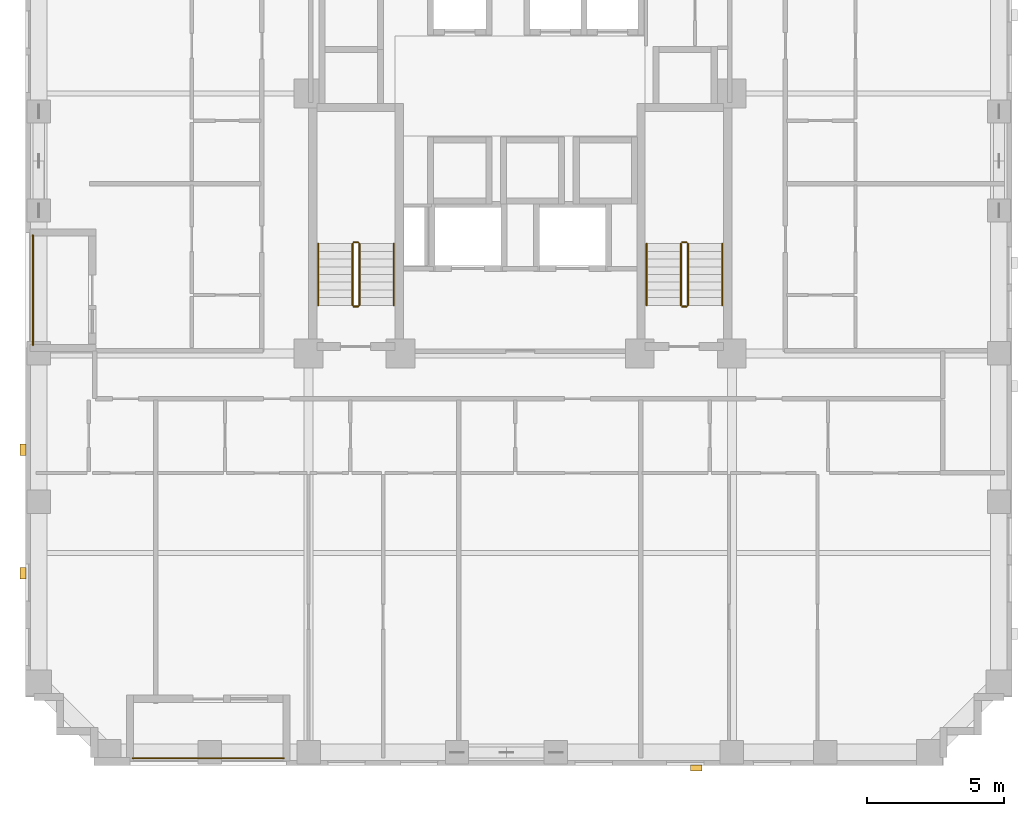
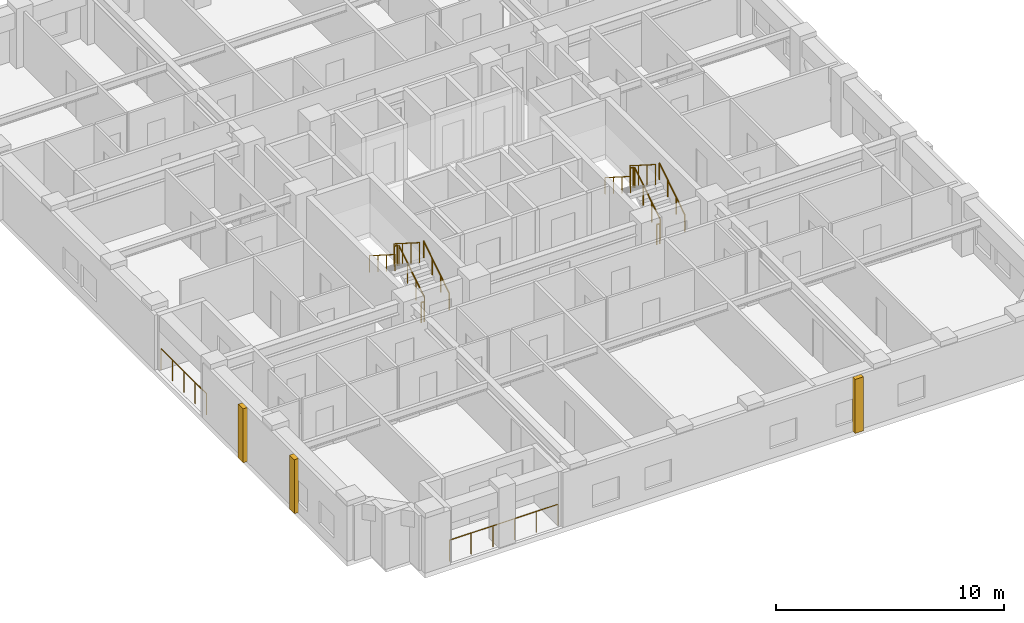
# One storey, part 11 of 12: 14 railings, 3 coverings.
"""IFC4 building model written with IfcOpenShell, lengths in metres."""

from ifc_helpers import new_model, si_unit, derived_unit, direction, frame, origin, origin_2d, place, context, subcontext, project, spatial, rectangle, circle, extrude, material, layer, layer_set, type_object, element, save


model = new_model("IFC4")

# Units and contexts
model_context = context("Model", 3, precision=1e-05, world=origin(), true_north=direction((0.0, 1.0)))
body_context = subcontext(model_context, "Body", "Model", "MODEL_VIEW")
ifc_project = project(units=[si_unit("LENGTHUNIT", "METRE"), si_unit("AREAUNIT", "SQUARE_METRE"), si_unit("VOLUMEUNIT", "CUBIC_METRE"), si_unit("PLANEANGLEUNIT", "RADIAN"), si_unit("MASSUNIT", "GRAM", prefix="KILO"), derived_unit("THERMALTRANSMITTANCEUNIT", [(si_unit("MASSUNIT", "GRAM", prefix="KILO"), 1), (si_unit("TIMEUNIT", "SECOND"), -3), (si_unit("THERMODYNAMICTEMPERATUREUNIT", "KELVIN"), -1)])], contexts=[model_context])

# Site, building, storey
site_placement = place(None, origin())
site = spatial("IfcSite", under=ifc_project, at=site_placement, CompositionType="ELEMENT")
building_placement = place(site_placement, origin())
building = spatial("IfcBuilding", under=site, at=building_placement, Name="Korrvale Station Residences", CompositionType="ELEMENT")
storey_placement = place(building_placement, frame((0.0, 0.0, 91.10009765625)))
storey = spatial("IfcBuildingStorey", under=building, at=storey_placement, Name="L25", CompositionType="ELEMENT", Elevation=91.10009765625)

# Coverings
ifc_material_1 = material(Name="Architectural precast concrete C45/55", Category="concrete")
ifc_layer = layer(ifc_material_1, 0.219970703125, Name="Architectural precast concrete C45/55")
ifc_layer_set = layer_set([ifc_layer], Name="Architectural precast concrete C45/55")
covering_type = type_object("IfcCoveringType", Name="COV-PIER-400", PredefinedType="CLADDING", material=ifc_layer_set)
for number, where, z_axis, x_axis, name in (
    (1, (31.89990234375, -0.090087890625, 0.02490234375), (0.0, 0.0, 1.0), (1.0, 0.0, 0.0), "L25 Architectural Precast Facade Pier 01"),
    (2, (7.409912109375, 7.0, 0.02490234375), (0.0, 0.0, 1.0), (0.0, 1.0, 0.0), "L25 Architectural Precast Facade Pier 04"),
    (3, (7.409912109375, 11.5, 0.02490234375), (0.0, 0.0, 1.0), (0.0, 1.0, 0.0), "L25 Architectural Precast Facade Pier 05"),
):
    element("IfcCovering", number, at=place(storey_placement, frame(where, z_axis=z_axis, x_axis=x_axis)), inside=storey, type_object=covering_type, Name=name, PredefinedType="CLADDING", context=body_context, shape_type="SweptSolid", body=[
        extrude(rectangle(XDim=0.419921875, YDim=0.219970703125, at=origin_2d()), origin(), (0.0, 0.0, 1.0), 2.889892578125),
    ])

# Railings
ifc_material_2 = material(Name="Powder-coated aluminium picket loggia guard", Category="aluminium")
railing_type_1 = type_object("IfcRailingType", Name="RLG-BAL-1150", PredefinedType="GUARDRAIL", material=ifc_material_2)
railing_1_placement = place(storey_placement, frame((11.39990234375, 0.27001953125, 0.0)))
element("IfcRailing", 4, at=railing_1_placement, inside=storey, type_object=railing_type_1, Name="L25 Recessed Loggia Guardrail BAL-L25-S1", PredefinedType="GUARDRAIL", context=body_context, shape_type="SweptSolid", body=[
    extrude(circle(Radius=0.02392578125, at=origin_2d()), frame((0.0, 0.0, 1.1259765625), z_axis=(1.0, 0.0, 0.0), x_axis=(0.0, 1.0, 0.0)), (0.0, 0.0, 1.0), 5.5),
    extrude(circle(Radius=0.02099609375, at=origin_2d()), origin(), (0.0, 0.0, 1.0), 1.101806640625),
    extrude(circle(Radius=0.02099609375, at=origin_2d()), frame((1.10009765625, 0.0, 0.0)), (0.0, 0.0, 1.0), 1.101806640625),
    extrude(circle(Radius=0.02099609375, at=origin_2d()), frame((2.199951171875, 0.0, 0.0)), (0.0, 0.0, 1.0), 1.101806640625),
    extrude(circle(Radius=0.02099609375, at=origin_2d()), frame((3.300048828125, 0.0, 0.0)), (0.0, 0.0, 1.0), 1.101806640625),
    extrude(circle(Radius=0.02099609375, at=origin_2d()), frame((4.39990234375, 0.0, 0.0)), (0.0, 0.0, 1.0), 1.101806640625),
    extrude(circle(Radius=0.02099609375, at=origin_2d()), frame((5.5, 0.0, 0.0)), (0.0, 0.0, 1.0), 1.101806640625),
])
railing_2_placement = place(storey_placement, frame((7.77001953125, 15.300048828125, 0.0)))
element("IfcRailing", 5, at=railing_2_placement, inside=storey, type_object=railing_type_1, Name="L25 Recessed Loggia Guardrail BAL-L25-W1", PredefinedType="GUARDRAIL", context=body_context, shape_type="SweptSolid", body=[
    extrude(circle(Radius=0.02392578125, at=origin_2d()), frame((0.0, 0.0, 1.1259765625), z_axis=(0.0, 1.0, 0.0), x_axis=(-1.0, 0.0, 0.0)), (0.0, 0.0, 1.0), 4.0),
    extrude(circle(Radius=0.02099609375, at=origin_2d()), origin(), (0.0, 0.0, 1.0), 1.101806640625),
    extrude(circle(Radius=0.02099609375, at=origin_2d()), frame((0.0, 1.0, 0.0)), (0.0, 0.0, 1.0), 1.101806640625),
    extrude(circle(Radius=0.02099609375, at=origin_2d()), frame((0.0, 2.0, 0.0)), (0.0, 0.0, 1.0), 1.101806640625),
    extrude(circle(Radius=0.02099609375, at=origin_2d()), frame((0.0, 3.0, 0.0)), (0.0, 0.0, 1.0), 1.101806640625),
    extrude(circle(Radius=0.02099609375, at=origin_2d()), frame((0.0, 4.0, 0.0)), (0.0, 0.0, 1.0), 1.101806640625),
])
ifc_material_3 = material(Name="Brushed stainless-steel continuous stair handrail", Category="steel")
railing_type_2 = type_object("IfcRailingType", Name="RLG-SHND-900", PredefinedType="HANDRAIL", material=ifc_material_3)
railing_3_placement = place(storey_placement, frame((20.89990234375, 16.75, 0.177734375)))
element("IfcRailing", 6, at=railing_3_placement, inside=storey, type_object=railing_type_2, Name="L25 ST-1 stair handrail 1", PredefinedType="HANDRAIL", context=body_context, shape_type="SweptSolid", body=[
    extrude(circle(Radius=0.02392578125, at=origin_2d()), frame((0.0, 0.0, 0.8759765625), z_axis=(0.0, 0.8442293374, 0.53598211339), x_axis=(-1.0, 0.0, 0.0)), (0.0, 0.0, 1.0), 2.6533203125),
    extrude(circle(Radius=0.02099609375, at=origin_2d()), origin(), (0.0, 0.0, 1.0), 0.851806640625),
    extrude(circle(Radius=0.02099609375, at=origin_2d()), frame((0.0, 0.74658203125, 0.47412109375)), (0.0, 0.0, 1.0), 0.851806640625),
    extrude(circle(Radius=0.02099609375, at=origin_2d()), frame((0.0, 1.493408203125, 0.947998046875)), (0.0, 0.0, 1.0), 0.851806640625),
    extrude(circle(Radius=0.02099609375, at=origin_2d()), frame((0.0, 2.239990234375, 1.422119140625)), (0.0, 0.0, 1.0), 0.851806640625),
])
railing_4_placement = place(storey_placement, frame((18.14990234375, 18.989990234375, 1.777587890625)))
element("IfcRailing", 7, at=railing_4_placement, inside=storey, type_object=railing_type_2, Name="L25 ST-1 stair handrail 2", PredefinedType="HANDRAIL", context=body_context, shape_type="SweptSolid", body=[
    extrude(circle(Radius=0.02392578125, at=origin_2d()), frame((0.0, 0.0, 0.8759765625), z_axis=(0.0, -0.84418770128, 0.536047689118), x_axis=(1.0, 0.0, 0.0)), (0.0, 0.0, 1.0), 2.6533203125),
    extrude(circle(Radius=0.02099609375, at=origin_2d()), origin(), (0.0, 0.0, 1.0), 0.851806640625),
    extrude(circle(Radius=0.02099609375, at=origin_2d()), frame((0.0, -0.74658203125, 0.47412109375)), (0.0, 0.0, 1.0), 0.851806640625),
    extrude(circle(Radius=0.02099609375, at=origin_2d()), frame((0.0, -1.493408203125, 0.9482421875)), (0.0, 0.0, 1.0), 0.851806640625),
    extrude(circle(Radius=0.02099609375, at=origin_2d()), frame((0.0, -2.239990234375, 1.42236328125)), (0.0, 0.0, 1.0), 0.851806640625),
])
railing_5_placement = place(storey_placement, frame((32.85009765625, 16.75, 0.177734375)))
element("IfcRailing", 8, at=railing_5_placement, inside=storey, type_object=railing_type_2, Name="L25 ST-2 stair handrail 1", PredefinedType="HANDRAIL", context=body_context, shape_type="SweptSolid", body=[
    extrude(circle(Radius=0.02392578125, at=origin_2d()), frame((0.0, 0.0, 0.8759765625), z_axis=(0.0, 0.8442293374, 0.53598211339), x_axis=(-1.0, 0.0, 0.0)), (0.0, 0.0, 1.0), 2.6533203125),
    extrude(circle(Radius=0.02099609375, at=origin_2d()), origin(), (0.0, 0.0, 1.0), 0.851806640625),
    extrude(circle(Radius=0.02099609375, at=origin_2d()), frame((0.0, 0.74658203125, 0.47412109375)), (0.0, 0.0, 1.0), 0.851806640625),
    extrude(circle(Radius=0.02099609375, at=origin_2d()), frame((0.0, 1.493408203125, 0.947998046875)), (0.0, 0.0, 1.0), 0.851806640625),
    extrude(circle(Radius=0.02099609375, at=origin_2d()), frame((0.0, 2.239990234375, 1.422119140625)), (0.0, 0.0, 1.0), 0.851806640625),
])
railing_6_placement = place(storey_placement, frame((30.10009765625, 18.989990234375, 1.777587890625)))
element("IfcRailing", 9, at=railing_6_placement, inside=storey, type_object=railing_type_2, Name="L25 ST-2 stair handrail 2", PredefinedType="HANDRAIL", context=body_context, shape_type="SweptSolid", body=[
    extrude(circle(Radius=0.02392578125, at=origin_2d()), frame((0.0, 0.0, 0.8759765625), z_axis=(0.0, -0.84418770128, 0.536047689118), x_axis=(1.0, 0.0, 0.0)), (0.0, 0.0, 1.0), 2.6533203125),
    extrude(circle(Radius=0.02099609375, at=origin_2d()), origin(), (0.0, 0.0, 1.0), 0.851806640625),
    extrude(circle(Radius=0.02099609375, at=origin_2d()), frame((0.0, -0.74658203125, 0.47412109375)), (0.0, 0.0, 1.0), 0.851806640625),
    extrude(circle(Radius=0.02099609375, at=origin_2d()), frame((0.0, -1.493408203125, 0.9482421875)), (0.0, 0.0, 1.0), 0.851806640625),
    extrude(circle(Radius=0.02099609375, at=origin_2d()), frame((0.0, -2.239990234375, 1.42236328125)), (0.0, 0.0, 1.0), 0.851806640625),
])
ifc_material_4 = material(Name="Galvanised painted tubular steel stair guard", Category="steel")
railing_type_3 = type_object("IfcRailingType", Name="RLG-STR-1100", PredefinedType="GUARDRAIL", material=ifc_material_4)
railing_7_placement = place(storey_placement, frame((19.64990234375, 16.75, 0.177734375)))
element("IfcRailing", 10, at=railing_7_placement, inside=storey, type_object=railing_type_3, Name="L25 ST-1 stair guard 1", PredefinedType="GUARDRAIL", context=body_context, shape_type="SweptSolid", body=[
    extrude(circle(Radius=0.02392578125, at=origin_2d()), frame((0.0, 0.0, 1.076171875), z_axis=(0.0, 0.8442293374, 0.53598211339), x_axis=(-1.0, 0.0, 0.0)), (0.0, 0.0, 1.0), 2.6533203125),
    extrude(circle(Radius=0.02099609375, at=origin_2d()), origin(), (0.0, 0.0, 1.0), 1.052001953125),
    extrude(circle(Radius=0.02099609375, at=origin_2d()), frame((0.0, 0.74658203125, 0.47412109375)), (0.0, 0.0, 1.0), 1.052001953125),
    extrude(circle(Radius=0.02099609375, at=origin_2d()), frame((0.0, 1.493408203125, 0.947998046875)), (0.0, 0.0, 1.0), 1.052001953125),
    extrude(circle(Radius=0.02099609375, at=origin_2d()), frame((0.0, 2.239990234375, 1.422119140625)), (0.0, 0.0, 1.0), 1.052001953125),
])
railing_8_placement = place(storey_placement, frame((19.60009765625, 19.0400390625, 1.599853515625)))
element("IfcRailing", 11, at=railing_8_placement, inside=storey, type_object=railing_type_3, Name="L25 ST-1 stair guard 2", PredefinedType="GUARDRAIL", context=body_context, shape_type="SweptSolid", body=[
    extrude(circle(Radius=0.02392578125, at=origin_2d()), frame((0.0, 0.0, 1.076171875), z_axis=(-1.0, 0.0, 0.0), x_axis=(0.0, -1.0, 0.0)), (0.0, 0.0, 1.0), 0.150146484375),
    extrude(circle(Radius=0.02099609375, at=origin_2d()), origin(), (0.0, 0.0, 1.0), 1.052001953125),
    extrude(circle(Radius=0.02099609375, at=origin_2d()), frame((-0.150146484375, 0.0, 0.0)), (0.0, 0.0, 1.0), 1.052001953125),
])
railing_9_placement = place(storey_placement, frame((19.39990234375, 18.989990234375, 1.777587890625)))
element("IfcRailing", 12, at=railing_9_placement, inside=storey, type_object=railing_type_3, Name="L25 ST-1 stair guard 3", PredefinedType="GUARDRAIL", context=body_context, shape_type="SweptSolid", body=[
    extrude(circle(Radius=0.02392578125, at=origin_2d()), frame((0.0, 0.0, 1.076171875), z_axis=(0.0, -0.84418770128, 0.536047689118), x_axis=(1.0, 0.0, 0.0)), (0.0, 0.0, 1.0), 2.6533203125),
    extrude(circle(Radius=0.02099609375, at=origin_2d()), origin(), (0.0, 0.0, 1.0), 1.052001953125),
    extrude(circle(Radius=0.02099609375, at=origin_2d()), frame((0.0, -0.74658203125, 0.47412109375)), (0.0, 0.0, 1.0), 1.052001953125),
    extrude(circle(Radius=0.02099609375, at=origin_2d()), frame((0.0, -1.493408203125, 0.9482421875)), (0.0, 0.0, 1.0), 1.052001953125),
    extrude(circle(Radius=0.02099609375, at=origin_2d()), frame((0.0, -2.239990234375, 1.42236328125)), (0.0, 0.0, 1.0), 1.052001953125),
])
railing_10_placement = place(storey_placement, frame((19.60009765625, 16.699951171875, 0.0)))
element("IfcRailing", 13, at=railing_10_placement, inside=storey, type_object=railing_type_3, Name="L25 ST-1 stair guard 4", PredefinedType="GUARDRAIL", context=body_context, shape_type="SweptSolid", body=[
    extrude(circle(Radius=0.02392578125, at=origin_2d()), frame((0.0, 0.0, 1.076171875), z_axis=(-1.0, 0.0, 0.0), x_axis=(0.0, -1.0, 0.0)), (0.0, 0.0, 1.0), 0.150146484375),
    extrude(circle(Radius=0.02099609375, at=origin_2d()), origin(), (0.0, 0.0, 1.0), 1.052001953125),
    extrude(circle(Radius=0.02099609375, at=origin_2d()), frame((-0.150146484375, 0.0, 0.0)), (0.0, 0.0, 1.0), 1.052001953125),
])
railing_11_placement = place(storey_placement, frame((31.60009765625, 16.75, 0.177734375)))
element("IfcRailing", 14, at=railing_11_placement, inside=storey, type_object=railing_type_3, Name="L25 ST-2 stair guard 1", PredefinedType="GUARDRAIL", context=body_context, shape_type="SweptSolid", body=[
    extrude(circle(Radius=0.02392578125, at=origin_2d()), frame((0.0, 0.0, 1.076171875), z_axis=(0.0, 0.8442293374, 0.53598211339), x_axis=(-1.0, 0.0, 0.0)), (0.0, 0.0, 1.0), 2.6533203125),
    extrude(circle(Radius=0.02099609375, at=origin_2d()), origin(), (0.0, 0.0, 1.0), 1.052001953125),
    extrude(circle(Radius=0.02099609375, at=origin_2d()), frame((0.0, 0.74658203125, 0.47412109375)), (0.0, 0.0, 1.0), 1.052001953125),
    extrude(circle(Radius=0.02099609375, at=origin_2d()), frame((0.0, 1.493408203125, 0.947998046875)), (0.0, 0.0, 1.0), 1.052001953125),
    extrude(circle(Radius=0.02099609375, at=origin_2d()), frame((0.0, 2.239990234375, 1.422119140625)), (0.0, 0.0, 1.0), 1.052001953125),
])
railing_12_placement = place(storey_placement, frame((31.550048828125, 19.0400390625, 1.599853515625)))
element("IfcRailing", 15, at=railing_12_placement, inside=storey, type_object=railing_type_3, Name="L25 ST-2 stair guard 2", PredefinedType="GUARDRAIL", context=body_context, shape_type="SweptSolid", body=[
    extrude(circle(Radius=0.02392578125, at=origin_2d()), frame((0.0, 0.0, 1.076171875), z_axis=(-1.0, 0.0, 0.0), x_axis=(0.0, -1.0, 0.0)), (0.0, 0.0, 1.0), 0.150146484375),
    extrude(circle(Radius=0.02099609375, at=origin_2d()), origin(), (0.0, 0.0, 1.0), 1.052001953125),
    extrude(circle(Radius=0.02099609375, at=origin_2d()), frame((-0.150146484375, 0.0, 0.0)), (0.0, 0.0, 1.0), 1.052001953125),
])
railing_13_placement = place(storey_placement, frame((31.35009765625, 18.989990234375, 1.777587890625)))
element("IfcRailing", 16, at=railing_13_placement, inside=storey, type_object=railing_type_3, Name="L25 ST-2 stair guard 3", PredefinedType="GUARDRAIL", context=body_context, shape_type="SweptSolid", body=[
    extrude(circle(Radius=0.02392578125, at=origin_2d()), frame((0.0, 0.0, 1.076171875), z_axis=(0.0, -0.84418770128, 0.536047689118), x_axis=(1.0, 0.0, 0.0)), (0.0, 0.0, 1.0), 2.6533203125),
    extrude(circle(Radius=0.02099609375, at=origin_2d()), origin(), (0.0, 0.0, 1.0), 1.052001953125),
    extrude(circle(Radius=0.02099609375, at=origin_2d()), frame((0.0, -0.74658203125, 0.47412109375)), (0.0, 0.0, 1.0), 1.052001953125),
    extrude(circle(Radius=0.02099609375, at=origin_2d()), frame((0.0, -1.493408203125, 0.9482421875)), (0.0, 0.0, 1.0), 1.052001953125),
    extrude(circle(Radius=0.02099609375, at=origin_2d()), frame((0.0, -2.239990234375, 1.42236328125)), (0.0, 0.0, 1.0), 1.052001953125),
])
railing_14_placement = place(storey_placement, frame((31.550048828125, 16.699951171875, 0.0)))
element("IfcRailing", 17, at=railing_14_placement, inside=storey, type_object=railing_type_3, Name="L25 ST-2 stair guard 4", PredefinedType="GUARDRAIL", context=body_context, shape_type="SweptSolid", body=[
    extrude(circle(Radius=0.02392578125, at=origin_2d()), frame((0.0, 0.0, 1.076171875), z_axis=(-1.0, 0.0, 0.0), x_axis=(0.0, -1.0, 0.0)), (0.0, 0.0, 1.0), 0.150146484375),
    extrude(circle(Radius=0.02099609375, at=origin_2d()), origin(), (0.0, 0.0, 1.0), 1.052001953125),
    extrude(circle(Radius=0.02099609375, at=origin_2d()), frame((-0.150146484375, 0.0, 0.0)), (0.0, 0.0, 1.0), 1.052001953125),
])

save(model, "model.ifc")
